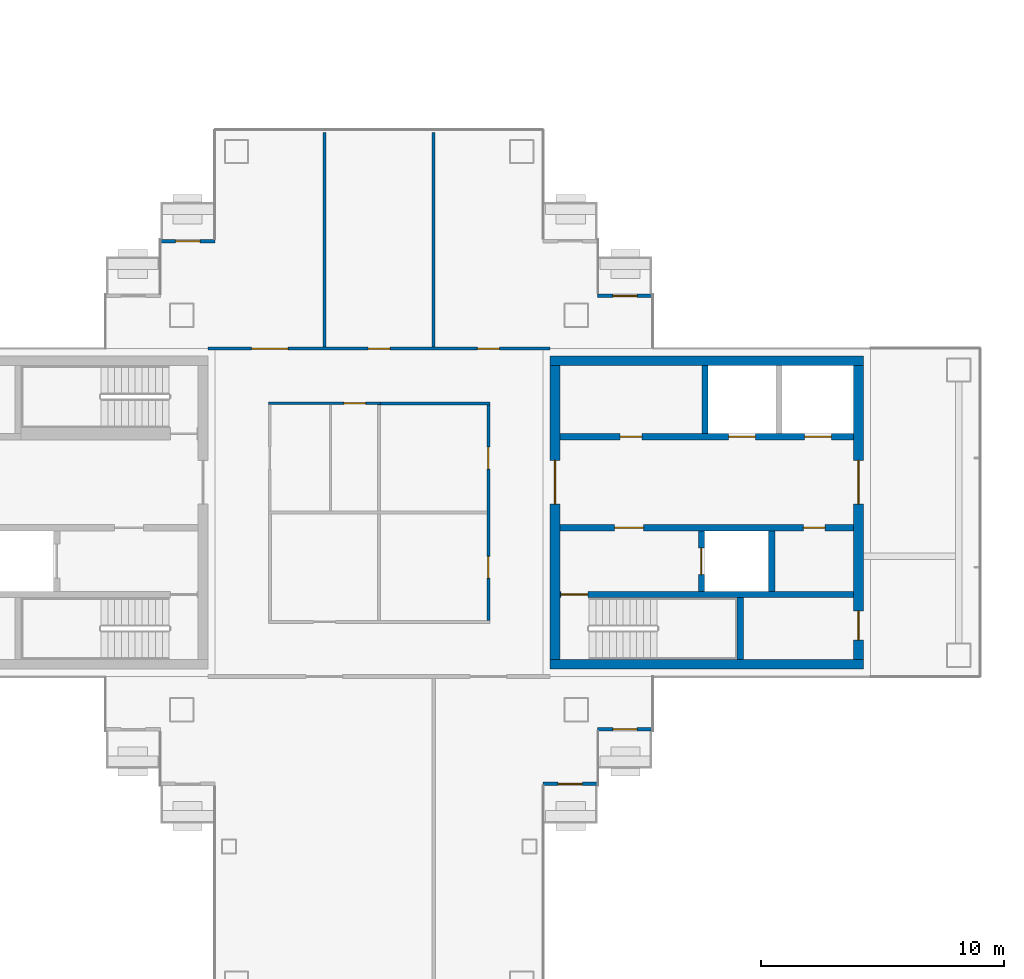
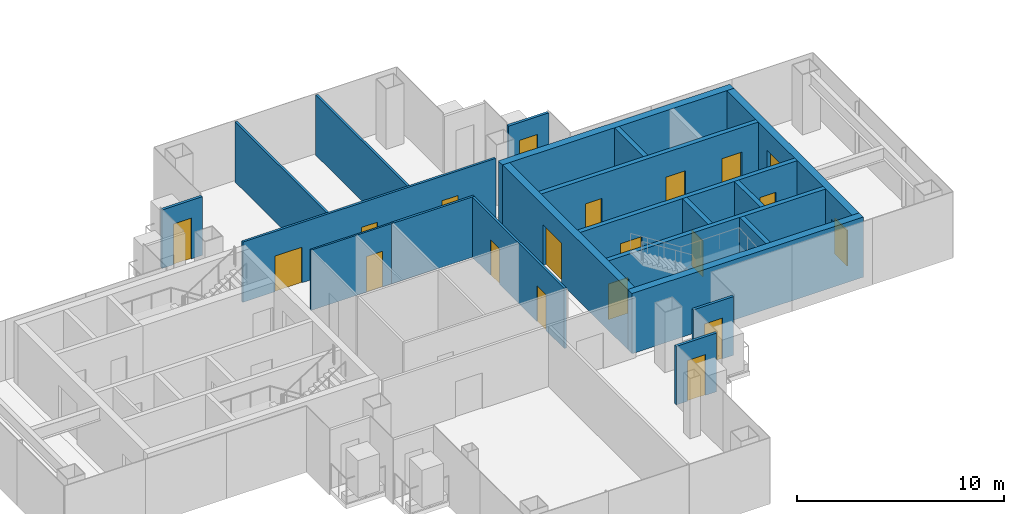
# One storey, part 9 of 15: 21 walls, 20 doors, 20 openings.
"""IFC4 building model written with IfcOpenShell, lengths in metres."""

from ifc_helpers import new_model, si_unit, direction, frame, frame_2d, origin, place, context, subcontext, project, spatial, rectangle, extrude, material, layer, layer_set, type_object, element, fill, save


model = new_model("IFC4")

# Units and contexts
model_context = context("Model", 3, precision=1e-05, world=origin(), true_north=direction((0.0, 1.0)))
body_context = subcontext(model_context, "Body", "Model", "MODEL_VIEW")
ifc_project = project(units=[si_unit("LENGTHUNIT", "METRE"), si_unit("AREAUNIT", "SQUARE_METRE"), si_unit("VOLUMEUNIT", "CUBIC_METRE"), si_unit("PLANEANGLEUNIT", "RADIAN"), si_unit("MASSUNIT", "GRAM", prefix="KILO")], contexts=[model_context])

# Site, building, storey
site_placement = place(None, origin())
site = spatial("IfcSite", under=ifc_project, at=site_placement, CompositionType="ELEMENT")
building_placement = place(site_placement, origin())
building = spatial("IfcBuilding", under=site, at=building_placement, Name="Shamsa Quay Exchange Towers", CompositionType="ELEMENT")
storey_placement = place(building_placement, frame((0.0, 0.0, 206.10009765625)))
storey = spatial("IfcBuildingStorey", under=building, at=storey_placement, Name="L49", CompositionType="ELEMENT", Elevation=206.10009765625)

# Wall, opening, door
ifc_material_1 = material(Name="Aluminium EN AW-6063 T6, black anodised, with black enamelled glass infill", Category="aluminium")
ifc_layer_1 = layer(ifc_material_1, 0.14990234375)
ifc_layer_set_1 = layer_set([ifc_layer_1], Name="BALCONY DOOR BAY WALL 150")
wall_type_1 = type_object("IfcWallType", Name="BALCONY DOOR BAY WALL 150", PredefinedType="SOLIDWALL", material=ifc_layer_set_1)
wall_1_placement = place(storey_placement, frame((-24.75, 8.925048828125, 0.0)))
wall_1 = element("IfcWall", 1, at=wall_1_placement, inside=storey, type_object=wall_type_1, Name="Door bay T1-PKEN L49", PredefinedType="SOLIDWALL", context=body_context, shape_type="SweptSolid", body=[
    extrude(rectangle(XDim=2.25, YDim=0.14990234375, at=frame_2d((1.125, 0.0))), origin(), (0.0, 0.0, 1.0), 3.449951171875),
])
opening_1_placement = place(wall_1_placement, frame((0.625, 0.0, 0.0)))
opening_1 = element("IfcOpeningElement", 2, at=opening_1_placement, cuts=wall_1, Name="Opening XD321", PredefinedType="OPENING", context=body_context, shape_type="SweptSolid", body=[
    extrude(rectangle(XDim=1.0, YDim=2.39990234375, at=frame_2d((0.5, 1.199951171875))), frame((0.0, 0.0849609375, 0.0), z_axis=(0.0, -1.0, 0.0), x_axis=(1.0, 0.0, 0.0)), (0.0, 0.0, 1.0), 0.169921875),
])
ifc_material_2 = material(Name="Aluminium EN AW-6063 T6, black anodised, with laminated glass leaf", Category="aluminium")
door_type_1 = type_object("IfcDoorType", Name="BALCONY DOOR 1000x2400", OperationType="SINGLE_SWING_LEFT", PredefinedType="DOOR", material=ifc_material_2)
door_1_placement = place(opening_1_placement, origin())
door_1 = element("IfcDoor", 3, at=door_1_placement, inside=storey, type_object=door_type_1, Name="Balcony door T1-PKEN L49", OperationType="SINGLE_SWING_RIGHT", OverallHeight=2.39990234375, OverallWidth=1.0, PredefinedType="DOOR", context=body_context, shape_type="SweptSolid", body=[
    extrude(rectangle(XDim=1.0, YDim=2.39990234375, at=frame_2d((0.5, 1.199951171875))), frame((0.0, 0.02490234375, 0.0), z_axis=(0.0, -1.0, 0.0), x_axis=(1.0, 0.0, 0.0)), (0.0, 0.0, 1.0), 0.050048828125),
])
fill(opening_1, door_1)

wall_2_placement = place(storey_placement, frame((-22.5, -8.925048828125, 0.0), z_axis=(0.0, 0.0, 1.0), x_axis=(-1.0, 0.0, 0.0)))
wall_2 = element("IfcWall", 4, at=wall_2_placement, inside=storey, type_object=wall_type_1, Name="Door bay T1-PKES L49", PredefinedType="SOLIDWALL", context=body_context, shape_type="SweptSolid", body=[
    extrude(rectangle(XDim=2.25, YDim=0.14990234375, at=frame_2d((1.125, 0.0))), origin(), (0.0, 0.0, 1.0), 3.449951171875),
])
opening_2_placement = place(wall_2_placement, frame((0.625, 0.0, 0.0)))
opening_2 = element("IfcOpeningElement", 5, at=opening_2_placement, cuts=wall_2, Name="Opening XD323", PredefinedType="OPENING", context=body_context, shape_type="SweptSolid", body=[
    extrude(rectangle(XDim=1.0, YDim=2.39990234375, at=frame_2d((0.5, 1.199951171875))), frame((0.0, 0.0849609375, 0.0), z_axis=(0.0, -1.0, 0.0), x_axis=(1.0, 0.0, 0.0)), (0.0, 0.0, 1.0), 0.169921875),
])
door_2_placement = place(opening_2_placement, origin())
door_2 = element("IfcDoor", 6, at=door_2_placement, inside=storey, type_object=door_type_1, Name="Balcony door T1-PKES L49", OperationType="SINGLE_SWING_RIGHT", OverallHeight=2.39990234375, OverallWidth=1.0, PredefinedType="DOOR", context=body_context, shape_type="SweptSolid", body=[
    extrude(rectangle(XDim=1.0, YDim=2.39990234375, at=frame_2d((0.5, 1.199951171875))), frame((0.0, 0.02490234375, 0.0), z_axis=(0.0, -1.0, 0.0), x_axis=(1.0, 0.0, 0.0)), (0.0, 0.0, 1.0), 0.050048828125),
])
fill(opening_2, door_2)

wall_3_placement = place(storey_placement, frame((-24.75, -11.175048828125, 0.0), z_axis=(0.0, 0.0, 1.0), x_axis=(-1.0, 0.0, 0.0)))
wall_3 = element("IfcWall", 7, at=wall_3_placement, inside=storey, type_object=wall_type_1, Name="Door bay T1-PKES L49", PredefinedType="SOLIDWALL", context=body_context, shape_type="SweptSolid", body=[
    extrude(rectangle(XDim=2.25, YDim=0.14990234375, at=frame_2d((1.125, 0.0))), origin(), (0.0, 0.0, 1.0), 3.449951171875),
])
opening_3_placement = place(wall_3_placement, frame((0.625, 0.0, 0.0)))
opening_3 = element("IfcOpeningElement", 8, at=opening_3_placement, cuts=wall_3, Name="Opening XD324", PredefinedType="OPENING", context=body_context, shape_type="SweptSolid", body=[
    extrude(rectangle(XDim=1.0, YDim=2.39990234375, at=frame_2d((0.5, 1.199951171875))), frame((0.0, 0.0849609375, 0.0), z_axis=(0.0, -1.0, 0.0), x_axis=(1.0, 0.0, 0.0)), (0.0, 0.0, 1.0), 0.169921875),
])
door_3_placement = place(opening_3_placement, origin())
door_3 = element("IfcDoor", 9, at=door_3_placement, inside=storey, type_object=door_type_1, Name="Balcony door T1-PKES L49", OperationType="SINGLE_SWING_LEFT", OverallHeight=2.39990234375, OverallWidth=1.0, PredefinedType="DOOR", context=body_context, shape_type="SweptSolid", body=[
    extrude(rectangle(XDim=1.0, YDim=2.39990234375, at=frame_2d((0.5, 1.199951171875))), frame((0.0, 0.02490234375, 0.0), z_axis=(0.0, -1.0, 0.0), x_axis=(1.0, 0.0, 0.0)), (0.0, 0.0, 1.0), 0.050048828125),
])
fill(opening_3, door_3)

wall_4_placement = place(storey_placement, frame((-42.75, 11.175048828125, 0.0)))
wall_4 = element("IfcWall", 10, at=wall_4_placement, inside=storey, type_object=wall_type_1, Name="Door bay T1-PKWN L49", PredefinedType="SOLIDWALL", context=body_context, shape_type="SweptSolid", body=[
    extrude(rectangle(XDim=2.25, YDim=0.14990234375, at=frame_2d((1.125, 0.0))), origin(), (0.0, 0.0, 1.0), 3.449951171875),
])
opening_4_placement = place(wall_4_placement, frame((0.625, 0.0, 0.0)))
opening_4 = element("IfcOpeningElement", 11, at=opening_4_placement, cuts=wall_4, Name="Opening XD325", PredefinedType="OPENING", context=body_context, shape_type="SweptSolid", body=[
    extrude(rectangle(XDim=1.0, YDim=2.39990234375, at=frame_2d((0.5, 1.199951171875))), frame((0.0, 0.0849609375, 0.0), z_axis=(0.0, -1.0, 0.0), x_axis=(1.0, 0.0, 0.0)), (0.0, 0.0, 1.0), 0.169921875),
])
door_4_placement = place(opening_4_placement, origin())
door_4 = element("IfcDoor", 12, at=door_4_placement, inside=storey, type_object=door_type_1, Name="Balcony door T1-PKWN L49", OperationType="SINGLE_SWING_LEFT", OverallHeight=2.39990234375, OverallWidth=1.0, PredefinedType="DOOR", context=body_context, shape_type="SweptSolid", body=[
    extrude(rectangle(XDim=1.0, YDim=2.39990234375, at=frame_2d((0.5, 1.199951171875))), frame((0.0, 0.02490234375, 0.0), z_axis=(0.0, -1.0, 0.0), x_axis=(1.0, 0.0, 0.0)), (0.0, 0.0, 1.0), 0.050048828125),
])
fill(opening_4, door_4)

# Walls
ifc_material_3 = material(Name="Concrete C60/75", Category="concrete")
ifc_layer_2 = layer(ifc_material_3, 0.39990234375)
ifc_layer_set_2 = layer_set([ifc_layer_2], Name="CORE WALL 400 C60/75")
wall_type_2 = type_object("IfcWallType", Name="CORE WALL 400 C60/75", PredefinedType="SHEAR", material=ifc_layer_set_2)
for number, where, name in (
    (13, (-26.699951171875, -6.25, 0.0), "Core wall T1A-R22-PS"),
    (14, (-26.699951171875, 6.25, 0.0), "Core wall T1A-R22-PN"),
):
    element("IfcWall", number, at=place(storey_placement, frame(where)), inside=storey, type_object=wall_type_2, Name=name, PredefinedType="SHEAR", context=body_context, shape_type="SweptSolid", body=[
        extrude(rectangle(XDim=12.89990234375, YDim=0.39990234375, at=frame_2d((6.449951171875, 0.0))), origin(), (0.0, 0.0, 1.0), 3.5498046875),
    ])

# Wall, opening, door
wall_5_placement = place(storey_placement, frame((-26.5, 6.050048828125, 0.0), z_axis=(0.0, 0.0, 1.0), x_axis=(0.0, -1.0, 0.0)))
wall_5 = element("IfcWall", 15, at=wall_5_placement, inside=storey, type_object=wall_type_2, Name="Core wall T1A-R22-PF", PredefinedType="SHEAR", context=body_context, shape_type="SweptSolid", body=[
    extrude(rectangle(XDim=12.10009765625, YDim=0.39990234375, at=frame_2d((6.050048828125, 0.0))), origin(), (0.0, 0.0, 1.0), 3.5498046875),
])
opening_5_placement = place(wall_5_placement, frame((3.89990234375, 0.0, 0.0)))
opening_5 = element("IfcOpeningElement", 16, at=opening_5_placement, cuts=wall_5, Name="Opening T1A-R22-LBD01", PredefinedType="OPENING", context=body_context, shape_type="SweptSolid", body=[
    extrude(rectangle(XDim=1.800048828125, YDim=2.39990234375, at=frame_2d((0.89990234375, 1.199951171875))), frame((0.0, 0.2099609375, 0.0), z_axis=(0.0, -1.0, 0.0), x_axis=(1.0, 0.0, 0.0)), (0.0, 0.0, 1.0), 0.419921875),
])
ifc_material_4 = material(Name="Steel, fire rated", Category="steel")
door_type_2 = type_object("IfcDoorType", Name="LIFT LOBBY DOOR PAIR 1800", OperationType="DOUBLE_DOOR_SINGLE_SWING", PredefinedType="DOOR", material=ifc_material_4)
door_5_placement = place(opening_5_placement, origin())
door_5 = element("IfcDoor", 17, at=door_5_placement, inside=storey, type_object=door_type_2, Name="T1A-R22-LBD01", OperationType="DOUBLE_DOOR_SINGLE_SWING", OverallHeight=2.39990234375, OverallWidth=1.800048828125, PredefinedType="DOOR", context=body_context, shape_type="SweptSolid", body=[
    extrude(rectangle(XDim=1.800048828125, YDim=2.39990234375, at=frame_2d((0.89990234375, 1.199951171875))), frame((0.0, 0.02490234375, 0.0), z_axis=(0.0, -1.0, 0.0), x_axis=(1.0, 0.0, 0.0)), (0.0, 0.0, 1.0), 0.050048828125),
])
fill(opening_5, door_5)

# Wall, openings, doors
wall_6_placement = place(storey_placement, frame((-14.0, 6.050048828125, 0.0), z_axis=(0.0, 0.0, 1.0), x_axis=(0.0, -1.0, 0.0)))
wall_6 = element("IfcWall", 18, at=wall_6_placement, inside=storey, type_object=wall_type_2, Name="Core wall T1A-R22-PB", PredefinedType="SHEAR", context=body_context, shape_type="SweptSolid", body=[
    extrude(rectangle(XDim=12.10009765625, YDim=0.39990234375, at=frame_2d((6.050048828125, 0.0))), origin(), (0.0, 0.0, 1.0), 3.5498046875),
])
opening_6_placement = place(wall_6_placement, frame((10.10009765625, 0.0, 0.0)))
opening_6 = element("IfcOpeningElement", 19, at=opening_6_placement, cuts=wall_6, Name="Opening T1A-R22-RD02", PredefinedType="OPENING", context=body_context, shape_type="SweptSolid", body=[
    extrude(rectangle(XDim=1.199951171875, YDim=2.10009765625, at=frame_2d((0.60009765625, 1.050048828125))), frame((0.0, 0.2099609375, 0.0), z_axis=(0.0, -1.0, 0.0), x_axis=(1.0, 0.0, 0.0)), (0.0, 0.0, 1.0), 0.419921875),
])
opening_7_placement = place(wall_6_placement, frame((3.89990234375, 0.0, 0.0)))
opening_7 = element("IfcOpeningElement", 20, at=opening_7_placement, cuts=wall_6, Name="Opening T1A-R22-LBD03", PredefinedType="OPENING", context=body_context, shape_type="SweptSolid", body=[
    extrude(rectangle(XDim=1.800048828125, YDim=2.39990234375, at=frame_2d((0.89990234375, 1.199951171875))), frame((0.0, 0.2099609375, 0.0), z_axis=(0.0, -1.0, 0.0), x_axis=(1.0, 0.0, 0.0)), (0.0, 0.0, 1.0), 0.419921875),
])
door_6_placement = place(opening_7_placement, origin())
door_6 = element("IfcDoor", 21, at=door_6_placement, inside=storey, type_object=door_type_2, Name="T1A-R22-LBD03", OperationType="DOUBLE_DOOR_SINGLE_SWING", OverallHeight=2.39990234375, OverallWidth=1.800048828125, PredefinedType="DOOR", context=body_context, shape_type="SweptSolid", body=[
    extrude(rectangle(XDim=1.800048828125, YDim=2.39990234375, at=frame_2d((0.89990234375, 1.199951171875))), frame((0.0, 0.02490234375, 0.0), z_axis=(0.0, -1.0, 0.0), x_axis=(1.0, 0.0, 0.0)), (0.0, 0.0, 1.0), 0.050048828125),
])
fill(opening_7, door_6)
door_type_3 = type_object("IfcDoorType", Name="RISER ACCESS DOOR 1200", OperationType="SINGLE_SWING_LEFT", PredefinedType="DOOR", material=ifc_material_4)
door_7_placement = place(opening_6_placement, origin())
door_7 = element("IfcDoor", 22, at=door_7_placement, inside=storey, type_object=door_type_3, Name="T1A-R22-RD02", OperationType="SINGLE_SWING_RIGHT", OverallHeight=2.10009765625, OverallWidth=1.199951171875, PredefinedType="DOOR", context=body_context, shape_type="SweptSolid", body=[
    extrude(rectangle(XDim=1.199951171875, YDim=2.10009765625, at=frame_2d((0.60009765625, 1.050048828125))), frame((0.0, 0.02490234375, 0.0), z_axis=(0.0, -1.0, 0.0), x_axis=(1.0, 0.0, 0.0)), (0.0, 0.0, 1.0), 0.050048828125),
])
fill(opening_6, door_7)

ifc_material_5 = material(Name="Laminated fire-resisting glass in a metal frame", Category="glass")
ifc_layer_3 = layer(ifc_material_5, 0.125)
ifc_layer_set_3 = layer_set([ifc_layer_3], Name="Glazed partition 125 mm EI 60")
wall_type_3 = type_object("IfcWallType", Name="Glazed partition 125 mm EI 60", PredefinedType="PARTITIONING", material=ifc_layer_set_3)
wall_7_placement = place(storey_placement, frame((-29.25, -4.4375, 0.0), z_axis=(0.0, 0.0, 1.0), x_axis=(0.0, 1.0, 0.0)))
wall_7 = element("IfcWall", 23, at=wall_7_placement, inside=storey, type_object=wall_type_3, Name="Partition T1-R22-W01", PredefinedType="PARTITIONING", context=body_context, shape_type="SweptSolid", body=[
    extrude(rectangle(XDim=8.875, YDim=0.125, at=frame_2d((4.4375, 0.0))), origin(), (0.0, 0.0, 1.0), 3.5498046875),
])
opening_8_placement = place(wall_7_placement, frame((1.737548828125, 0.0, 0.0)))
opening_8 = element("IfcOpeningElement", 24, at=opening_8_placement, cuts=wall_7, Name="Opening T1-R22-D07", PredefinedType="OPENING", context=body_context, shape_type="SweptSolid", body=[
    extrude(rectangle(XDim=0.89990234375, YDim=2.10009765625, at=frame_2d((0.449951171875, 1.050048828125))), frame((0.0, 0.072509765625, 0.0), z_axis=(0.0, -1.0, 0.0), x_axis=(1.0, 0.0, 0.0)), (0.0, 0.0, 1.0), 0.14501953125),
])
opening_9_placement = place(wall_7_placement, frame((6.237548828125, 0.0, 0.0)))
opening_9 = element("IfcOpeningElement", 25, at=opening_9_placement, cuts=wall_7, Name="Opening T1-R22-D08", PredefinedType="OPENING", context=body_context, shape_type="SweptSolid", body=[
    extrude(rectangle(XDim=0.89990234375, YDim=2.10009765625, at=frame_2d((0.449951171875, 1.050048828125))), frame((0.0, 0.072509765625, 0.0), z_axis=(0.0, -1.0, 0.0), x_axis=(1.0, 0.0, 0.0)), (0.0, 0.0, 1.0), 0.14501953125),
])
ifc_material_6 = material(Name="Timber door leaf in a metal frame", Category="wood")
door_type_4 = type_object("IfcDoorType", Name="Door 900x2100 FD30S", OperationType="NOTDEFINED", PredefinedType="DOOR", material=ifc_material_6)
door_8_placement = place(opening_8_placement, origin())
door_8 = element("IfcDoor", 26, at=door_8_placement, inside=storey, type_object=door_type_4, Name="Door T1-R22-D07", OperationType="SINGLE_SWING_RIGHT", OverallHeight=2.10009765625, OverallWidth=0.89990234375, PredefinedType="DOOR", context=body_context, shape_type="SweptSolid", body=[
    extrude(rectangle(XDim=0.89990234375, YDim=2.10009765625, at=frame_2d((0.449951171875, 1.050048828125))), frame((0.0, 0.02490234375, 0.0), z_axis=(0.0, -1.0, 0.0), x_axis=(1.0, 0.0, 0.0)), (0.0, 0.0, 1.0), 0.050048828125),
])
fill(opening_8, door_8)
door_9_placement = place(opening_9_placement, origin())
door_9 = element("IfcDoor", 27, at=door_9_placement, inside=storey, type_object=door_type_4, Name="Door T1-R22-D08", OperationType="SINGLE_SWING_RIGHT", OverallHeight=2.10009765625, OverallWidth=0.89990234375, PredefinedType="DOOR", context=body_context, shape_type="SweptSolid", body=[
    extrude(rectangle(XDim=0.89990234375, YDim=2.10009765625, at=frame_2d((0.449951171875, 1.050048828125))), frame((0.0, 0.02490234375, 0.0), z_axis=(0.0, -1.0, 0.0), x_axis=(1.0, 0.0, 0.0)), (0.0, 0.0, 1.0), 0.050048828125),
])
fill(opening_9, door_9)

# Wall
wall_8_placement = place(storey_placement, frame((-29.1875, 4.5, 0.0), z_axis=(0.0, 0.0, 1.0), x_axis=(-1.0, 0.0, 0.0)))
element("IfcWall", 28, at=wall_8_placement, inside=storey, type_object=wall_type_3, Name="Partition T1-R22-W02", PredefinedType="PARTITIONING", context=body_context, shape_type="SweptSolid", body=[
    extrude(rectangle(XDim=4.625, YDim=0.125, at=frame_2d((2.3125, 0.0))), origin(), (0.0, 0.0, 1.0), 3.5498046875),
])

# Wall, openings, doors
wall_9_placement = place(storey_placement, frame((-40.800048828125, 6.75, 0.0)))
wall_9 = element("IfcWall", 29, at=wall_9_placement, inside=storey, type_object=wall_type_3, Name="Partition T1-R22-W07", PredefinedType="PARTITIONING", context=body_context, shape_type="SweptSolid", body=[
    extrude(rectangle(XDim=14.10009765625, YDim=0.125, at=frame_2d((7.050048828125, 0.0))), origin(), (0.0, 0.0, 1.0), 3.5498046875),
])
opening_10_placement = place(wall_9_placement, frame((1.800048828125, 0.0, 0.0)))
opening_10 = element("IfcOpeningElement", 30, at=opening_10_placement, cuts=wall_9, Name="Opening T1-R22-D01", PredefinedType="OPENING", context=body_context, shape_type="SweptSolid", body=[
    extrude(rectangle(XDim=1.5, YDim=2.10009765625, at=frame_2d((0.75, 1.050048828125))), frame((0.0, 0.072509765625, 0.0), z_axis=(0.0, -1.0, 0.0), x_axis=(1.0, 0.0, 0.0)), (0.0, 0.0, 1.0), 0.14501953125),
])
opening_11_placement = place(wall_9_placement, frame((6.60009765625, 0.0, 0.0)))
opening_11 = element("IfcOpeningElement", 31, at=opening_11_placement, cuts=wall_9, Name="Opening T1-R22-D02", PredefinedType="OPENING", context=body_context, shape_type="SweptSolid", body=[
    extrude(rectangle(XDim=0.89990234375, YDim=2.10009765625, at=frame_2d((0.449951171875, 1.050048828125))), frame((0.0, 0.072509765625, 0.0), z_axis=(0.0, -1.0, 0.0), x_axis=(1.0, 0.0, 0.0)), (0.0, 0.0, 1.0), 0.14501953125),
])
opening_12_placement = place(wall_9_placement, frame((11.10009765625, 0.0, 0.0)))
opening_12 = element("IfcOpeningElement", 32, at=opening_12_placement, cuts=wall_9, Name="Opening T1-R22-D03", PredefinedType="OPENING", context=body_context, shape_type="SweptSolid", body=[
    extrude(rectangle(XDim=0.89990234375, YDim=2.10009765625, at=frame_2d((0.449951171875, 1.050048828125))), frame((0.0, 0.072509765625, 0.0), z_axis=(0.0, -1.0, 0.0), x_axis=(1.0, 0.0, 0.0)), (0.0, 0.0, 1.0), 0.14501953125),
])
door_type_5 = type_object("IfcDoorType", Name="Door 1500x2100 FD30S pair", OperationType="NOTDEFINED", PredefinedType="DOOR", material=ifc_material_6)
door_10_placement = place(opening_10_placement, origin())
door_10 = element("IfcDoor", 33, at=door_10_placement, inside=storey, type_object=door_type_5, Name="Door T1-R22-D01", OperationType="DOUBLE_DOOR_SINGLE_SWING", OverallHeight=2.10009765625, OverallWidth=1.5, PredefinedType="DOOR", context=body_context, shape_type="SweptSolid", body=[
    extrude(rectangle(XDim=1.5, YDim=2.10009765625, at=frame_2d((0.75, 1.050048828125))), frame((0.0, 0.02490234375, 0.0), z_axis=(0.0, -1.0, 0.0), x_axis=(1.0, 0.0, 0.0)), (0.0, 0.0, 1.0), 0.050048828125),
])
fill(opening_10, door_10)
door_11_placement = place(opening_11_placement, origin())
door_11 = element("IfcDoor", 34, at=door_11_placement, inside=storey, type_object=door_type_4, Name="Door T1-R22-D02", OperationType="SINGLE_SWING_RIGHT", OverallHeight=2.10009765625, OverallWidth=0.89990234375, PredefinedType="DOOR", context=body_context, shape_type="SweptSolid", body=[
    extrude(rectangle(XDim=0.89990234375, YDim=2.10009765625, at=frame_2d((0.449951171875, 1.050048828125))), frame((0.0, 0.02490234375, 0.0), z_axis=(0.0, -1.0, 0.0), x_axis=(1.0, 0.0, 0.0)), (0.0, 0.0, 1.0), 0.050048828125),
])
fill(opening_11, door_11)
door_12_placement = place(opening_12_placement, origin())
door_12 = element("IfcDoor", 35, at=door_12_placement, inside=storey, type_object=door_type_4, Name="Door T1-R22-D03", OperationType="SINGLE_SWING_LEFT", OverallHeight=2.10009765625, OverallWidth=0.89990234375, PredefinedType="DOOR", context=body_context, shape_type="SweptSolid", body=[
    extrude(rectangle(XDim=0.89990234375, YDim=2.10009765625, at=frame_2d((0.449951171875, 1.050048828125))), frame((0.0, 0.02490234375, 0.0), z_axis=(0.0, -1.0, 0.0), x_axis=(1.0, 0.0, 0.0)), (0.0, 0.0, 1.0), 0.050048828125),
])
fill(opening_12, door_12)

# Walls
for number, where, z_axis, x_axis, name in (
    (36, (-36.0, 6.8125, 0.0), (0.0, 0.0, 1.0), (0.0, 1.0, 0.0), "Partition T1-R22-W12"),
    (37, (-31.5, 6.8125, 0.0), (0.0, 0.0, 1.0), (0.0, 1.0, 0.0), "Partition T1-R22-W13"),
):
    element("IfcWall", number, at=place(storey_placement, frame(where, z_axis=z_axis, x_axis=x_axis)), inside=storey, type_object=wall_type_3, Name=name, PredefinedType="PARTITIONING", context=body_context, shape_type="SweptSolid", body=[
        extrude(rectangle(XDim=8.842529296875, YDim=0.125, at=frame_2d((4.42138671875, 0.0))), origin(), (0.0, 0.0, 1.0), 3.5498046875),
    ])

# Wall, opening, door
ifc_material_7 = material(Name="Gypsum board partition on metal studs")
ifc_layer_4 = layer(ifc_material_7, 0.10009765625)
ifc_layer_set_4 = layer_set([ifc_layer_4], Name="Partition 100 mm NOT RATED")
wall_type_4 = type_object("IfcWallType", Name="Partition 100 mm NOT RATED", PredefinedType="PARTITIONING", material=ifc_layer_set_4)
wall_10_placement = place(storey_placement, frame((-33.6875, 4.5, 0.0), z_axis=(0.0, 0.0, 1.0), x_axis=(-1.0, 0.0, 0.0)))
wall_10 = element("IfcWall", 38, at=wall_10_placement, inside=storey, type_object=wall_type_4, Name="Partition T1-R22-W05", PredefinedType="PARTITIONING", context=body_context, shape_type="SweptSolid", body=[
    extrude(rectangle(XDim=4.612548828125, YDim=0.10009765625, at=frame_2d((2.30615234375, 0.0))), origin(), (0.0, 0.0, 1.0), 3.5498046875),
])
opening_13_placement = place(wall_10_placement, frame((0.612548828125, 0.0, 0.0)))
opening_13 = element("IfcOpeningElement", 39, at=opening_13_placement, cuts=wall_10, Name="Opening T1-R22-D06", PredefinedType="OPENING", context=body_context, shape_type="SweptSolid", body=[
    extrude(rectangle(XDim=0.89990234375, YDim=2.10009765625, at=frame_2d((0.449951171875, 1.050048828125))), frame((0.0, 0.06005859375, 0.0), z_axis=(0.0, -1.0, 0.0), x_axis=(1.0, 0.0, 0.0)), (0.0, 0.0, 1.0), 0.1201171875),
])
door_type_6 = type_object("IfcDoorType", Name="Door 900x2100 NOT RATED", OperationType="NOTDEFINED", PredefinedType="DOOR", material=ifc_material_6)
door_13_placement = place(opening_13_placement, origin())
door_13 = element("IfcDoor", 40, at=door_13_placement, inside=storey, type_object=door_type_6, Name="Door T1-R22-D06", OperationType="SINGLE_SWING_LEFT", OverallHeight=2.10009765625, OverallWidth=0.89990234375, PredefinedType="DOOR", context=body_context, shape_type="SweptSolid", body=[
    extrude(rectangle(XDim=0.89990234375, YDim=2.10009765625, at=frame_2d((0.449951171875, 1.050048828125))), frame((0.0, 0.02490234375, 0.0), z_axis=(0.0, -1.0, 0.0), x_axis=(1.0, 0.0, 0.0)), (0.0, 0.0, 1.0), 0.050048828125),
])
fill(opening_13, door_13)

ifc_material_8 = material(Name="Concrete C50/60", Category="concrete")
ifc_layer_5 = layer(ifc_material_8, 0.25)
ifc_layer_set_5 = layer_set([ifc_layer_5], Name="SHAFT WALL 250 C50/60")
wall_type_5 = type_object("IfcWallType", Name="SHAFT WALL 250 C50/60", PredefinedType="SHEAR", material=ifc_layer_set_5)
wall_11_placement = place(storey_placement, frame((-14.199951171875, -3.375, 0.0), z_axis=(0.0, 0.0, 1.0), x_axis=(-1.0, 0.0, 0.0)))
wall_11 = element("IfcWall", 41, at=wall_11_placement, inside=storey, type_object=wall_type_5, Name="Shaft wall T1A-R22-STL", PredefinedType="SHEAR", context=body_context, shape_type="SweptSolid", body=[
    extrude(rectangle(XDim=12.10009765625, YDim=0.25, at=frame_2d((6.050048828125, 0.0))), origin(), (0.0, 0.0, 1.0), 3.5498046875),
])
opening_14_placement = place(wall_11_placement, frame((10.949951171875, 0.0, 0.0)))
opening_14 = element("IfcOpeningElement", 42, at=opening_14_placement, cuts=wall_11, Name="Opening T1A-R22-SD04", PredefinedType="OPENING", context=body_context, shape_type="SweptSolid", body=[
    extrude(rectangle(XDim=1.10009765625, YDim=2.10009765625, at=frame_2d((0.550048828125, 1.050048828125))), frame((0.0, 0.135009765625, 0.0), z_axis=(0.0, -1.0, 0.0), x_axis=(1.0, 0.0, 0.0)), (0.0, 0.0, 1.0), 0.27001953125),
])
door_type_7 = type_object("IfcDoorType", Name="STAIR DOOR 1100", OperationType="SINGLE_SWING_LEFT", PredefinedType="DOOR", material=ifc_material_4)
door_14_placement = place(opening_14_placement, origin())
door_14 = element("IfcDoor", 43, at=door_14_placement, inside=storey, type_object=door_type_7, Name="T1A-R22-SD04", OperationType="SINGLE_SWING_RIGHT", OverallHeight=2.10009765625, OverallWidth=1.10009765625, PredefinedType="DOOR", context=body_context, shape_type="SweptSolid", body=[
    extrude(rectangle(XDim=1.10009765625, YDim=2.10009765625, at=frame_2d((0.550048828125, 1.050048828125))), frame((0.0, 0.02490234375, 0.0), z_axis=(0.0, -1.0, 0.0), x_axis=(1.0, 0.0, 0.0)), (0.0, 0.0, 1.0), 0.050048828125),
])
fill(opening_14, door_14)

# Wall
wall_12_placement = place(storey_placement, frame((-18.875, -6.050048828125, 0.0), z_axis=(0.0, 0.0, 1.0), x_axis=(0.0, 1.0, 0.0)))
element("IfcWall", 44, at=wall_12_placement, inside=storey, type_object=wall_type_5, Name="Shaft wall T1A-R22-STF", PredefinedType="SHEAR", context=body_context, shape_type="SweptSolid", body=[
    extrude(rectangle(XDim=2.550048828125, YDim=0.25, at=frame_2d((1.27490234375, 0.0))), origin(), (0.0, 0.0, 1.0), 3.5498046875),
])

# Wall, openings, doors
wall_13_placement = place(storey_placement, frame((-14.199951171875, -0.625, 0.0), z_axis=(0.0, 0.0, 1.0), x_axis=(-1.0, 0.0, 0.0)))
wall_13 = element("IfcWall", 45, at=wall_13_placement, inside=storey, type_object=wall_type_5, Name="Shaft wall T1A-R22-B", PredefinedType="SHEAR", context=body_context, shape_type="SweptSolid", body=[
    extrude(rectangle(XDim=12.10009765625, YDim=0.25, at=frame_2d((6.050048828125, 0.0))), origin(), (0.0, 0.0, 1.0), 3.5498046875),
])
opening_15_placement = place(wall_13_placement, frame((8.64990234375, 0.0, 0.0)))
opening_15 = element("IfcOpeningElement", 46, at=opening_15_placement, cuts=wall_13, Name="Opening T1A-R22-FD05", PredefinedType="OPENING", context=body_context, shape_type="SweptSolid", body=[
    extrude(rectangle(XDim=1.199951171875, YDim=2.10009765625, at=frame_2d((0.60009765625, 1.050048828125))), frame((0.0, 0.135009765625, 0.0), z_axis=(0.0, -1.0, 0.0), x_axis=(1.0, 0.0, 0.0)), (0.0, 0.0, 1.0), 0.27001953125),
])
opening_16_placement = place(wall_13_placement, frame((1.175048828125, 0.0, 0.0)))
opening_16 = element("IfcOpeningElement", 47, at=opening_16_placement, cuts=wall_13, Name="Opening T1A-R22-SV06", PredefinedType="OPENING", context=body_context, shape_type="SweptSolid", body=[
    extrude(rectangle(XDim=0.89990234375, YDim=2.10009765625, at=frame_2d((0.449951171875, 1.050048828125))), frame((0.0, 0.135009765625, 0.0), z_axis=(0.0, -1.0, 0.0), x_axis=(1.0, 0.0, 0.0)), (0.0, 0.0, 1.0), 0.27001953125),
])
door_type_8 = type_object("IfcDoorType", Name="FIRE SERVICE LOBBY DOOR 1200", OperationType="SINGLE_SWING_LEFT", PredefinedType="DOOR", material=ifc_material_4)
door_15_placement = place(opening_15_placement, origin())
door_15 = element("IfcDoor", 48, at=door_15_placement, inside=storey, type_object=door_type_8, Name="T1A-R22-FD05", OperationType="SINGLE_SWING_RIGHT", OverallHeight=2.10009765625, OverallWidth=1.199951171875, PredefinedType="DOOR", context=body_context, shape_type="SweptSolid", body=[
    extrude(rectangle(XDim=1.199951171875, YDim=2.10009765625, at=frame_2d((0.60009765625, 1.050048828125))), frame((0.0, 0.02490234375, 0.0), z_axis=(0.0, -1.0, 0.0), x_axis=(1.0, 0.0, 0.0)), (0.0, 0.0, 1.0), 0.050048828125),
])
fill(opening_15, door_15)
door_type_9 = type_object("IfcDoorType", Name="SERVICE ROOM DOOR 900", OperationType="SINGLE_SWING_LEFT", PredefinedType="DOOR", material=ifc_material_4)
door_16_placement = place(opening_16_placement, origin())
door_16 = element("IfcDoor", 49, at=door_16_placement, inside=storey, type_object=door_type_9, Name="T1A-R22-SV06", OperationType="SINGLE_SWING_LEFT", OverallHeight=2.10009765625, OverallWidth=0.89990234375, PredefinedType="DOOR", context=body_context, shape_type="SweptSolid", body=[
    extrude(rectangle(XDim=0.89990234375, YDim=2.10009765625, at=frame_2d((0.449951171875, 1.050048828125))), frame((0.0, 0.02490234375, 0.0), z_axis=(0.0, -1.0, 0.0), x_axis=(1.0, 0.0, 0.0)), (0.0, 0.0, 1.0), 0.050048828125),
])
fill(opening_16, door_16)

# Wall, opening, door
wall_14_placement = place(storey_placement, frame((-20.47509765625, -3.25, 0.0), z_axis=(0.0, 0.0, 1.0), x_axis=(0.0, 1.0, 0.0)))
wall_14 = element("IfcWall", 50, at=wall_14_placement, inside=storey, type_object=wall_type_5, Name="Shaft wall T1A-R22-FFF", PredefinedType="SHEAR", context=body_context, shape_type="SweptSolid", body=[
    extrude(rectangle(XDim=2.5, YDim=0.25, at=frame_2d((1.25, 0.0))), origin(), (0.0, 0.0, 1.0), 3.5498046875),
])
opening_17_placement = place(wall_14_placement, frame((0.699951171875, 0.0, 0.0)))
opening_17 = element("IfcOpeningElement", 51, at=opening_17_placement, cuts=wall_14, Name="Opening T1A-R22-LDF07", PredefinedType="OPENING", context=body_context, shape_type="SweptSolid", body=[
    extrude(rectangle(XDim=1.10009765625, YDim=2.10009765625, at=frame_2d((0.550048828125, 1.050048828125))), frame((0.0, 0.135009765625, 0.0), z_axis=(0.0, -1.0, 0.0), x_axis=(1.0, 0.0, 0.0)), (0.0, 0.0, 1.0), 0.27001953125),
])
door_type_10 = type_object("IfcDoorType", Name="FIRE SERVICE LANDING DOOR 1100", OperationType="SLIDING_TO_LEFT", PredefinedType="DOOR", material=ifc_material_4)
door_17_placement = place(opening_17_placement, origin())
door_17 = element("IfcDoor", 52, at=door_17_placement, inside=storey, type_object=door_type_10, Name="T1A-R22-LDF07", OperationType="SLIDING_TO_LEFT", OverallHeight=2.10009765625, OverallWidth=1.10009765625, PredefinedType="DOOR", context=body_context, shape_type="SweptSolid", body=[
    extrude(rectangle(XDim=1.10009765625, YDim=2.10009765625, at=frame_2d((0.550048828125, 1.050048828125))), frame((0.0, 0.02490234375, 0.0), z_axis=(0.0, -1.0, 0.0), x_axis=(1.0, 0.0, 0.0)), (0.0, 0.0, 1.0), 0.050048828125),
])
fill(opening_17, door_17)

# Wall
wall_15_placement = place(storey_placement, frame((-17.574951171875, -3.25, 0.0), z_axis=(0.0, 0.0, 1.0), x_axis=(0.0, 1.0, 0.0)))
element("IfcWall", 53, at=wall_15_placement, inside=storey, type_object=wall_type_5, Name="Shaft wall T1A-R22-FFB", PredefinedType="SHEAR", context=body_context, shape_type="SweptSolid", body=[
    extrude(rectangle(XDim=2.5, YDim=0.25, at=frame_2d((1.25, 0.0))), origin(), (0.0, 0.0, 1.0), 3.5498046875),
])

# Wall, openings, doors
wall_16_placement = place(storey_placement, frame((-26.300048828125, 3.125, 0.0)))
wall_16 = element("IfcWall", 54, at=wall_16_placement, inside=storey, type_object=wall_type_5, Name="Shaft wall T1A-R22-N", PredefinedType="SHEAR", context=body_context, shape_type="SweptSolid", body=[
    extrude(rectangle(XDim=12.10009765625, YDim=0.25, at=frame_2d((6.050048828125, 0.0))), origin(), (0.0, 0.0, 1.0), 3.5498046875),
])
opening_18_placement = place(wall_16_placement, frame((6.949951171875, 0.0, 0.0)))
opening_18 = element("IfcOpeningElement", 55, at=opening_18_placement, cuts=wall_16, Name="Opening T1A-R22-LD08", PredefinedType="OPENING", context=body_context, shape_type="SweptSolid", body=[
    extrude(rectangle(XDim=1.10009765625, YDim=2.10009765625, at=frame_2d((0.550048828125, 1.050048828125))), frame((0.0, 0.135009765625, 0.0), z_axis=(0.0, -1.0, 0.0), x_axis=(1.0, 0.0, 0.0)), (0.0, 0.0, 1.0), 0.27001953125),
])
opening_19_placement = place(wall_16_placement, frame((10.074951171875, 0.0, 0.0)))
opening_19 = element("IfcOpeningElement", 56, at=opening_19_placement, cuts=wall_16, Name="Opening T1A-R22-LD09", PredefinedType="OPENING", context=body_context, shape_type="SweptSolid", body=[
    extrude(rectangle(XDim=1.10009765625, YDim=2.10009765625, at=frame_2d((0.550048828125, 1.050048828125))), frame((0.0, 0.135009765625, 0.0), z_axis=(0.0, -1.0, 0.0), x_axis=(1.0, 0.0, 0.0)), (0.0, 0.0, 1.0), 0.27001953125),
])
opening_20_placement = place(wall_16_placement, frame((2.47509765625, 0.0, 0.0)))
opening_20 = element("IfcOpeningElement", 57, at=opening_20_placement, cuts=wall_16, Name="Opening T1A-R22-SV10", PredefinedType="OPENING", context=body_context, shape_type="SweptSolid", body=[
    extrude(rectangle(XDim=0.89990234375, YDim=2.10009765625, at=frame_2d((0.449951171875, 1.050048828125))), frame((0.0, 0.135009765625, 0.0), z_axis=(0.0, -1.0, 0.0), x_axis=(1.0, 0.0, 0.0)), (0.0, 0.0, 1.0), 0.27001953125),
])
door_type_11 = type_object("IfcDoorType", Name="LANDING DOOR 1100", OperationType="SLIDING_TO_LEFT", PredefinedType="DOOR", material=ifc_material_4)
door_18_placement = place(opening_18_placement, origin())
door_18 = element("IfcDoor", 58, at=door_18_placement, inside=storey, type_object=door_type_11, Name="T1A-R22-LD08", OperationType="SLIDING_TO_LEFT", OverallHeight=2.10009765625, OverallWidth=1.10009765625, PredefinedType="DOOR", context=body_context, shape_type="SweptSolid", body=[
    extrude(rectangle(XDim=1.10009765625, YDim=2.10009765625, at=frame_2d((0.550048828125, 1.050048828125))), frame((0.0, 0.02490234375, 0.0), z_axis=(0.0, -1.0, 0.0), x_axis=(1.0, 0.0, 0.0)), (0.0, 0.0, 1.0), 0.050048828125),
])
fill(opening_18, door_18)
door_19_placement = place(opening_19_placement, origin())
door_19 = element("IfcDoor", 59, at=door_19_placement, inside=storey, type_object=door_type_11, Name="T1A-R22-LD09", OperationType="SLIDING_TO_LEFT", OverallHeight=2.10009765625, OverallWidth=1.10009765625, PredefinedType="DOOR", context=body_context, shape_type="SweptSolid", body=[
    extrude(rectangle(XDim=1.10009765625, YDim=2.10009765625, at=frame_2d((0.550048828125, 1.050048828125))), frame((0.0, 0.02490234375, 0.0), z_axis=(0.0, -1.0, 0.0), x_axis=(1.0, 0.0, 0.0)), (0.0, 0.0, 1.0), 0.050048828125),
])
fill(opening_19, door_19)
door_20_placement = place(opening_20_placement, origin())
door_20 = element("IfcDoor", 60, at=door_20_placement, inside=storey, type_object=door_type_9, Name="T1A-R22-SV10", OperationType="SINGLE_SWING_LEFT", OverallHeight=2.10009765625, OverallWidth=0.89990234375, PredefinedType="DOOR", context=body_context, shape_type="SweptSolid", body=[
    extrude(rectangle(XDim=0.89990234375, YDim=2.10009765625, at=frame_2d((0.449951171875, 1.050048828125))), frame((0.0, 0.02490234375, 0.0), z_axis=(0.0, -1.0, 0.0), x_axis=(1.0, 0.0, 0.0)), (0.0, 0.0, 1.0), 0.050048828125),
])
fill(opening_20, door_20)

# Wall
wall_17_placement = place(storey_placement, frame((-20.324951171875, 3.25, 0.0), z_axis=(0.0, 0.0, 1.0), x_axis=(0.0, 1.0, 0.0)))
element("IfcWall", 61, at=wall_17_placement, inside=storey, type_object=wall_type_5, Name="Shaft wall T1A-R22-D1", PredefinedType="SHEAR", context=body_context, shape_type="SweptSolid", body=[
    extrude(rectangle(XDim=2.800048828125, YDim=0.25, at=frame_2d((1.39990234375, 0.0))), origin(), (0.0, 0.0, 1.0), 3.5498046875),
])

save(model, "model.ifc")
